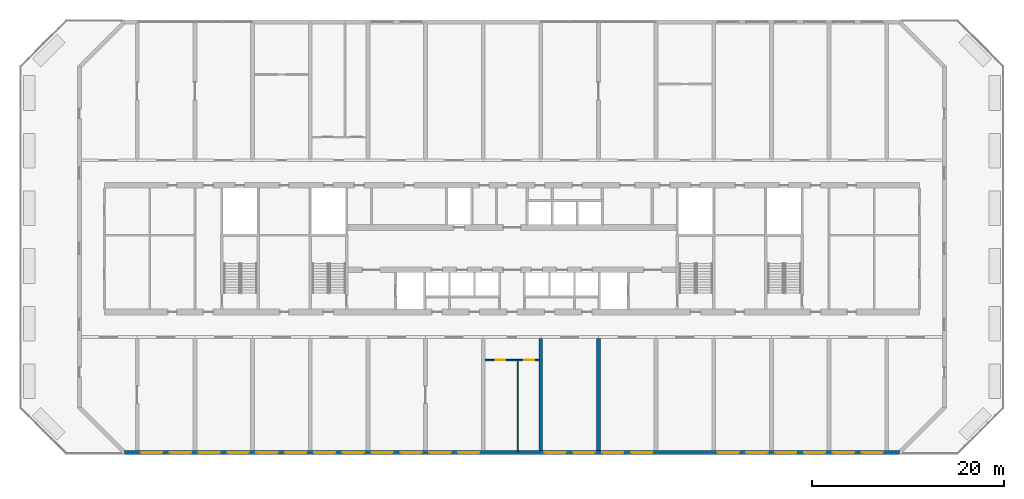
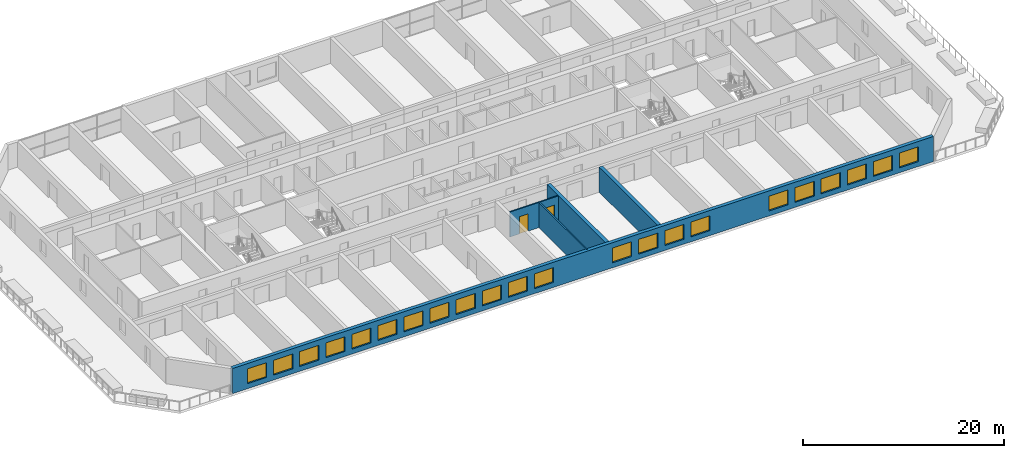
# One storey, part 8 of 21: 22 windows, 5 walls, 2 doors, 24 openings.
"""IFC4 building model written with IfcOpenShell, lengths in metres."""

from ifc_helpers import new_model, si_unit, direction, frame, frame_2d, origin, place, context, subcontext, project, spatial, rectangle, extrude, material, layer, layer_set, type_object, element, fill, save


model = new_model("IFC4")

# Units and contexts
model_context = context("Model", 3, precision=1e-05, world=origin(), true_north=direction((0.0, 1.0)))
body_context = subcontext(model_context, "Body", "Model", "MODEL_VIEW")
ifc_project = project(units=[si_unit("LENGTHUNIT", "METRE"), si_unit("AREAUNIT", "SQUARE_METRE"), si_unit("VOLUMEUNIT", "CUBIC_METRE"), si_unit("PLANEANGLEUNIT", "RADIAN"), si_unit("MASSUNIT", "GRAM", prefix="KILO")], contexts=[model_context])

# Site, building, storey
site_placement = place(None, origin())
site = spatial("IfcSite", under=ifc_project, at=site_placement, CompositionType="ELEMENT")
building_placement = place(site_placement, origin())
building = spatial("IfcBuilding", under=site, at=building_placement, Name="Poui Terraces", CompositionType="ELEMENT")
storey_placement = place(building_placement, frame((0.0, 0.0, 53.10009765625)))
storey = spatial("IfcBuildingStorey", under=building, at=storey_placement, Name="L14", CompositionType="ELEMENT", Elevation=53.10009765625)

# Wall, openings, doors
ifc_material_1 = material(Name="Fire-rated plasterboard wall")
ifc_layer_1 = layer(ifc_material_1, 0.14990234375)
ifc_layer_set_1 = layer_set([ifc_layer_1], Name="Fire-rated plasterboard wall")
wall_type_1 = type_object("IfcWallType", Name="CORRIDOR WALL 150", PredefinedType="PARTITIONING", material=ifc_layer_set_1)
wall_1_placement = place(storey_placement, frame((48.2099609375, 9.60009765625, 0.0), z_axis=(0.0, 0.0, 1.0), x_axis=(1.0, 0.0, 0.0)))
wall_1 = element("IfcWall", 1, at=wall_1_placement, inside=storey, type_object=wall_type_1, Name="CORRIDOR WALL 150", PredefinedType="PARTITIONING", context=body_context, shape_type="SweptSolid", body=[
    extrude(rectangle(XDim=5.580078125, YDim=0.14990234375, at=frame_2d((2.7900390625, 0.0))), origin(), (0.0, 0.0, 1.0), 3.0498046875),
])
opening_1_placement = place(wall_1_placement, frame((1.090087890625, 0.0, 0.0)))
opening_1 = element("IfcOpeningElement", 2, at=opening_1_placement, cuts=wall_1, Name="Opening D100", PredefinedType="OPENING", context=body_context, shape_type="SweptSolid", body=[
    extrude(rectangle(XDim=1.0, YDim=2.10009765625, at=frame_2d((0.5, 1.050048828125))), frame((0.0, 0.0849609375, 0.0), z_axis=(0.0, -1.0, 0.0), x_axis=(1.0, 0.0, 0.0)), (0.0, 0.0, 1.0), 0.169921875),
])
opening_2_placement = place(wall_1_placement, frame((4.090087890625, 0.0, 0.0)))
opening_2 = element("IfcOpeningElement", 3, at=opening_2_placement, cuts=wall_1, Name="Opening D100", PredefinedType="OPENING", context=body_context, shape_type="SweptSolid", body=[
    extrude(rectangle(XDim=1.0, YDim=2.10009765625, at=frame_2d((0.5, 1.050048828125))), frame((0.0, 0.0849609375, 0.0), z_axis=(0.0, -1.0, 0.0), x_axis=(1.0, 0.0, 0.0)), (0.0, 0.0, 1.0), 0.169921875),
])
ifc_material_2 = material(Name="Solid core timber door", Category="wood")
door_type = type_object("IfcDoorType", Name="ACCESSIBLE INTERNAL DOOR 1000 X 2100", OperationType="NOTDEFINED", PredefinedType="DOOR", material=ifc_material_2)
door_1_placement = place(opening_1_placement, origin())
door_1 = element("IfcDoor", 4, at=door_1_placement, inside=storey, type_object=door_type, Name="ACCESSIBLE INTERNAL DOOR 078", OperationType="SINGLE_SWING_RIGHT", OverallHeight=2.10009765625, OverallWidth=1.0, PredefinedType="DOOR", context=body_context, shape_type="SweptSolid", body=[
    extrude(rectangle(XDim=1.0, YDim=2.10009765625, at=frame_2d((0.5, 1.050048828125))), frame((0.0, 0.02490234375, 0.0), z_axis=(0.0, -1.0, 0.0), x_axis=(1.0, 0.0, 0.0)), (0.0, 0.0, 1.0), 0.050048828125),
])
fill(opening_1, door_1)
door_2_placement = place(opening_2_placement, origin())
door_2 = element("IfcDoor", 5, at=door_2_placement, inside=storey, type_object=door_type, Name="ACCESSIBLE INTERNAL DOOR 079", OperationType="SINGLE_SWING_LEFT", OverallHeight=2.10009765625, OverallWidth=1.0, PredefinedType="DOOR", context=body_context, shape_type="SweptSolid", body=[
    extrude(rectangle(XDim=1.0, YDim=2.10009765625, at=frame_2d((0.5, 1.050048828125))), frame((0.0, 0.02490234375, 0.0), z_axis=(0.0, -1.0, 0.0), x_axis=(1.0, 0.0, 0.0)), (0.0, 0.0, 1.0), 0.050048828125),
])
fill(opening_2, door_2)

# Walls
ifc_material_3 = material(Name="Concrete 80 MPa", Category="concrete")
ifc_layer_2 = layer(ifc_material_3, 0.39990234375)
ifc_layer_set_2 = layer_set([ifc_layer_2], Name="Concrete 80 MPa")
wall_type_2 = type_object("IfcWallType", Name="CROSS WALL 400 80MPa", PredefinedType="SHEAR", material=ifc_layer_set_2)
for number, where, z_axis, x_axis, name in (
    (6, (54.0, 0.199951171875, 0.0), (0.0, 0.0, 1.0), (0.0, 1.0, 0.0), "CROSS WALL LINE 10 SOUTH"),
    (7, (60.0, 0.199951171875, 0.0), (0.0, 0.0, 1.0), (0.0, 1.0, 0.0), "CROSS WALL LINE 11 SOUTH"),
):
    element("IfcWall", number, at=place(storey_placement, frame(where, z_axis=z_axis, x_axis=x_axis)), inside=storey, type_object=wall_type_2, Name=name, PredefinedType="SHEAR", context=body_context, shape_type="SweptSolid", body=[
        extrude(rectangle(XDim=11.650146484375, YDim=0.39990234375, at=frame_2d((5.8251953125, 0.0))), origin(), (0.0, 0.0, 1.0), 3.0498046875),
    ])

# Wall, openings, windows
ifc_material_4 = material(Name="Precast concrete 40 MPa", Category="concrete")
ifc_layer_3 = layer(ifc_material_4, 0.39990234375)
ifc_layer_set_3 = layer_set([ifc_layer_3], Name="Precast concrete 40 MPa")
wall_type_3 = type_object("IfcWallType", Name="EXTERNAL WALL 400", PredefinedType="STANDARD", material=ifc_layer_set_3)
wall_2_placement = place(storey_placement, frame((10.682861328125, 0.0, 0.0), z_axis=(0.0, 0.0, 1.0), x_axis=(1.0, 0.0, 0.0)))
wall_2 = element("IfcWall", 8, at=wall_2_placement, inside=storey, type_object=wall_type_3, Name="EXTERNAL WALL S", PredefinedType="STANDARD", context=body_context, shape_type="SweptSolid", body=[
    extrude(rectangle(XDim=80.63427734375, YDim=0.39990234375, at=frame_2d((40.317138671875, 0.0))), origin(), (0.0, 0.0, 1.0), 3.0498046875),
])
opening_3_placement = place(wall_2_placement, frame((1.71728515625, 0.0, 0.60009765625)))
opening_3 = element("IfcOpeningElement", 9, at=opening_3_placement, cuts=wall_2, Name="Opening W3", PredefinedType="OPENING", context=body_context, shape_type="SweptSolid", body=[
    extrude(rectangle(XDim=2.199951171875, YDim=1.800048828125, at=frame_2d((1.10009765625, 0.89990234375))), frame((0.0, 0.2099609375, 0.0), z_axis=(0.0, -1.0, 0.0), x_axis=(1.0, 0.0, 0.0)), (0.0, 0.0, 1.0), 0.419921875),
])
opening_4_placement = place(wall_2_placement, frame((4.71728515625, 0.0, 0.60009765625)))
opening_4 = element("IfcOpeningElement", 10, at=opening_4_placement, cuts=wall_2, Name="Opening W3", PredefinedType="OPENING", context=body_context, shape_type="SweptSolid", body=[
    extrude(rectangle(XDim=2.199951171875, YDim=1.800048828125, at=frame_2d((1.10009765625, 0.89990234375))), frame((0.0, 0.2099609375, 0.0), z_axis=(0.0, -1.0, 0.0), x_axis=(1.0, 0.0, 0.0)), (0.0, 0.0, 1.0), 0.419921875),
])
opening_5_placement = place(wall_2_placement, frame((7.71728515625, 0.0, 0.60009765625)))
opening_5 = element("IfcOpeningElement", 11, at=opening_5_placement, cuts=wall_2, Name="Opening W3", PredefinedType="OPENING", context=body_context, shape_type="SweptSolid", body=[
    extrude(rectangle(XDim=2.199951171875, YDim=1.800048828125, at=frame_2d((1.10009765625, 0.89990234375))), frame((0.0, 0.2099609375, 0.0), z_axis=(0.0, -1.0, 0.0), x_axis=(1.0, 0.0, 0.0)), (0.0, 0.0, 1.0), 0.419921875),
])
opening_6_placement = place(wall_2_placement, frame((10.71728515625, 0.0, 0.60009765625)))
opening_6 = element("IfcOpeningElement", 12, at=opening_6_placement, cuts=wall_2, Name="Opening W3", PredefinedType="OPENING", context=body_context, shape_type="SweptSolid", body=[
    extrude(rectangle(XDim=2.199951171875, YDim=1.800048828125, at=frame_2d((1.10009765625, 0.89990234375))), frame((0.0, 0.2099609375, 0.0), z_axis=(0.0, -1.0, 0.0), x_axis=(1.0, 0.0, 0.0)), (0.0, 0.0, 1.0), 0.419921875),
])
opening_7_placement = place(wall_2_placement, frame((13.71728515625, 0.0, 0.60009765625)))
opening_7 = element("IfcOpeningElement", 13, at=opening_7_placement, cuts=wall_2, Name="Opening W3", PredefinedType="OPENING", context=body_context, shape_type="SweptSolid", body=[
    extrude(rectangle(XDim=2.199951171875, YDim=1.800048828125, at=frame_2d((1.10009765625, 0.89990234375))), frame((0.0, 0.2099609375, 0.0), z_axis=(0.0, -1.0, 0.0), x_axis=(1.0, 0.0, 0.0)), (0.0, 0.0, 1.0), 0.419921875),
])
opening_8_placement = place(wall_2_placement, frame((16.71728515625, 0.0, 0.60009765625)))
opening_8 = element("IfcOpeningElement", 14, at=opening_8_placement, cuts=wall_2, Name="Opening W3", PredefinedType="OPENING", context=body_context, shape_type="SweptSolid", body=[
    extrude(rectangle(XDim=2.199951171875, YDim=1.800048828125, at=frame_2d((1.10009765625, 0.89990234375))), frame((0.0, 0.2099609375, 0.0), z_axis=(0.0, -1.0, 0.0), x_axis=(1.0, 0.0, 0.0)), (0.0, 0.0, 1.0), 0.419921875),
])
opening_9_placement = place(wall_2_placement, frame((19.71728515625, 0.0, 0.60009765625)))
opening_9 = element("IfcOpeningElement", 15, at=opening_9_placement, cuts=wall_2, Name="Opening W3", PredefinedType="OPENING", context=body_context, shape_type="SweptSolid", body=[
    extrude(rectangle(XDim=2.199951171875, YDim=1.800048828125, at=frame_2d((1.10009765625, 0.89990234375))), frame((0.0, 0.2099609375, 0.0), z_axis=(0.0, -1.0, 0.0), x_axis=(1.0, 0.0, 0.0)), (0.0, 0.0, 1.0), 0.419921875),
])
opening_10_placement = place(wall_2_placement, frame((22.71728515625, 0.0, 0.60009765625)))
opening_10 = element("IfcOpeningElement", 16, at=opening_10_placement, cuts=wall_2, Name="Opening W3", PredefinedType="OPENING", context=body_context, shape_type="SweptSolid", body=[
    extrude(rectangle(XDim=2.199951171875, YDim=1.800048828125, at=frame_2d((1.10009765625, 0.89990234375))), frame((0.0, 0.2099609375, 0.0), z_axis=(0.0, -1.0, 0.0), x_axis=(1.0, 0.0, 0.0)), (0.0, 0.0, 1.0), 0.419921875),
])
opening_11_placement = place(wall_2_placement, frame((25.71728515625, 0.0, 0.60009765625)))
opening_11 = element("IfcOpeningElement", 17, at=opening_11_placement, cuts=wall_2, Name="Opening W3", PredefinedType="OPENING", context=body_context, shape_type="SweptSolid", body=[
    extrude(rectangle(XDim=2.199951171875, YDim=1.800048828125, at=frame_2d((1.10009765625, 0.89990234375))), frame((0.0, 0.2099609375, 0.0), z_axis=(0.0, -1.0, 0.0), x_axis=(1.0, 0.0, 0.0)), (0.0, 0.0, 1.0), 0.419921875),
])
opening_12_placement = place(wall_2_placement, frame((28.71728515625, 0.0, 0.60009765625)))
opening_12 = element("IfcOpeningElement", 18, at=opening_12_placement, cuts=wall_2, Name="Opening W3", PredefinedType="OPENING", context=body_context, shape_type="SweptSolid", body=[
    extrude(rectangle(XDim=2.199951171875, YDim=1.800048828125, at=frame_2d((1.10009765625, 0.89990234375))), frame((0.0, 0.2099609375, 0.0), z_axis=(0.0, -1.0, 0.0), x_axis=(1.0, 0.0, 0.0)), (0.0, 0.0, 1.0), 0.419921875),
])
opening_13_placement = place(wall_2_placement, frame((31.71728515625, 0.0, 0.60009765625)))
opening_13 = element("IfcOpeningElement", 19, at=opening_13_placement, cuts=wall_2, Name="Opening W3", PredefinedType="OPENING", context=body_context, shape_type="SweptSolid", body=[
    extrude(rectangle(XDim=2.199951171875, YDim=1.800048828125, at=frame_2d((1.10009765625, 0.89990234375))), frame((0.0, 0.2099609375, 0.0), z_axis=(0.0, -1.0, 0.0), x_axis=(1.0, 0.0, 0.0)), (0.0, 0.0, 1.0), 0.419921875),
])
opening_14_placement = place(wall_2_placement, frame((34.71728515625, 0.0, 0.60009765625)))
opening_14 = element("IfcOpeningElement", 20, at=opening_14_placement, cuts=wall_2, Name="Opening W3", PredefinedType="OPENING", context=body_context, shape_type="SweptSolid", body=[
    extrude(rectangle(XDim=2.199951171875, YDim=1.800048828125, at=frame_2d((1.10009765625, 0.89990234375))), frame((0.0, 0.2099609375, 0.0), z_axis=(0.0, -1.0, 0.0), x_axis=(1.0, 0.0, 0.0)), (0.0, 0.0, 1.0), 0.419921875),
])
opening_15_placement = place(wall_2_placement, frame((43.71728515625, 0.0, 0.60009765625)))
opening_15 = element("IfcOpeningElement", 21, at=opening_15_placement, cuts=wall_2, Name="Opening W3", PredefinedType="OPENING", context=body_context, shape_type="SweptSolid", body=[
    extrude(rectangle(XDim=2.199951171875, YDim=1.800048828125, at=frame_2d((1.10009765625, 0.89990234375))), frame((0.0, 0.2099609375, 0.0), z_axis=(0.0, -1.0, 0.0), x_axis=(1.0, 0.0, 0.0)), (0.0, 0.0, 1.0), 0.419921875),
])
opening_16_placement = place(wall_2_placement, frame((46.71728515625, 0.0, 0.60009765625)))
opening_16 = element("IfcOpeningElement", 22, at=opening_16_placement, cuts=wall_2, Name="Opening W3", PredefinedType="OPENING", context=body_context, shape_type="SweptSolid", body=[
    extrude(rectangle(XDim=2.199951171875, YDim=1.800048828125, at=frame_2d((1.10009765625, 0.89990234375))), frame((0.0, 0.2099609375, 0.0), z_axis=(0.0, -1.0, 0.0), x_axis=(1.0, 0.0, 0.0)), (0.0, 0.0, 1.0), 0.419921875),
])
opening_17_placement = place(wall_2_placement, frame((49.71728515625, 0.0, 0.60009765625)))
opening_17 = element("IfcOpeningElement", 23, at=opening_17_placement, cuts=wall_2, Name="Opening W3", PredefinedType="OPENING", context=body_context, shape_type="SweptSolid", body=[
    extrude(rectangle(XDim=2.199951171875, YDim=1.800048828125, at=frame_2d((1.10009765625, 0.89990234375))), frame((0.0, 0.2099609375, 0.0), z_axis=(0.0, -1.0, 0.0), x_axis=(1.0, 0.0, 0.0)), (0.0, 0.0, 1.0), 0.419921875),
])
opening_18_placement = place(wall_2_placement, frame((52.71728515625, 0.0, 0.60009765625)))
opening_18 = element("IfcOpeningElement", 24, at=opening_18_placement, cuts=wall_2, Name="Opening W3", PredefinedType="OPENING", context=body_context, shape_type="SweptSolid", body=[
    extrude(rectangle(XDim=2.199951171875, YDim=1.800048828125, at=frame_2d((1.10009765625, 0.89990234375))), frame((0.0, 0.2099609375, 0.0), z_axis=(0.0, -1.0, 0.0), x_axis=(1.0, 0.0, 0.0)), (0.0, 0.0, 1.0), 0.419921875),
])
opening_19_placement = place(wall_2_placement, frame((61.71728515625, 0.0, 0.60009765625)))
opening_19 = element("IfcOpeningElement", 25, at=opening_19_placement, cuts=wall_2, Name="Opening W3", PredefinedType="OPENING", context=body_context, shape_type="SweptSolid", body=[
    extrude(rectangle(XDim=2.199951171875, YDim=1.800048828125, at=frame_2d((1.10009765625, 0.89990234375))), frame((0.0, 0.2099609375, 0.0), z_axis=(0.0, -1.0, 0.0), x_axis=(1.0, 0.0, 0.0)), (0.0, 0.0, 1.0), 0.419921875),
])
opening_20_placement = place(wall_2_placement, frame((64.71728515625, 0.0, 0.60009765625)))
opening_20 = element("IfcOpeningElement", 26, at=opening_20_placement, cuts=wall_2, Name="Opening W3", PredefinedType="OPENING", context=body_context, shape_type="SweptSolid", body=[
    extrude(rectangle(XDim=2.199951171875, YDim=1.800048828125, at=frame_2d((1.10009765625, 0.89990234375))), frame((0.0, 0.2099609375, 0.0), z_axis=(0.0, -1.0, 0.0), x_axis=(1.0, 0.0, 0.0)), (0.0, 0.0, 1.0), 0.419921875),
])
opening_21_placement = place(wall_2_placement, frame((67.71728515625, 0.0, 0.60009765625)))
opening_21 = element("IfcOpeningElement", 27, at=opening_21_placement, cuts=wall_2, Name="Opening W3", PredefinedType="OPENING", context=body_context, shape_type="SweptSolid", body=[
    extrude(rectangle(XDim=2.199951171875, YDim=1.800048828125, at=frame_2d((1.10009765625, 0.89990234375))), frame((0.0, 0.2099609375, 0.0), z_axis=(0.0, -1.0, 0.0), x_axis=(1.0, 0.0, 0.0)), (0.0, 0.0, 1.0), 0.419921875),
])
opening_22_placement = place(wall_2_placement, frame((70.71728515625, 0.0, 0.60009765625)))
opening_22 = element("IfcOpeningElement", 28, at=opening_22_placement, cuts=wall_2, Name="Opening W3", PredefinedType="OPENING", context=body_context, shape_type="SweptSolid", body=[
    extrude(rectangle(XDim=2.199951171875, YDim=1.800048828125, at=frame_2d((1.10009765625, 0.89990234375))), frame((0.0, 0.2099609375, 0.0), z_axis=(0.0, -1.0, 0.0), x_axis=(1.0, 0.0, 0.0)), (0.0, 0.0, 1.0), 0.419921875),
])
opening_23_placement = place(wall_2_placement, frame((73.71728515625, 0.0, 0.60009765625)))
opening_23 = element("IfcOpeningElement", 29, at=opening_23_placement, cuts=wall_2, Name="Opening W3", PredefinedType="OPENING", context=body_context, shape_type="SweptSolid", body=[
    extrude(rectangle(XDim=2.199951171875, YDim=1.800048828125, at=frame_2d((1.10009765625, 0.89990234375))), frame((0.0, 0.2099609375, 0.0), z_axis=(0.0, -1.0, 0.0), x_axis=(1.0, 0.0, 0.0)), (0.0, 0.0, 1.0), 0.419921875),
])
opening_24_placement = place(wall_2_placement, frame((76.71728515625, 0.0, 0.60009765625)))
opening_24 = element("IfcOpeningElement", 30, at=opening_24_placement, cuts=wall_2, Name="Opening W3", PredefinedType="OPENING", context=body_context, shape_type="SweptSolid", body=[
    extrude(rectangle(XDim=2.199951171875, YDim=1.800048828125, at=frame_2d((1.10009765625, 0.89990234375))), frame((0.0, 0.2099609375, 0.0), z_axis=(0.0, -1.0, 0.0), x_axis=(1.0, 0.0, 0.0)), (0.0, 0.0, 1.0), 0.419921875),
])
ifc_material_5 = material(Name="Clear glass in aluminium frame", Category="aluminium")
window_type = type_object("IfcWindowType", Name="WINDOW 2200X1800", PartitioningType="DOUBLE_PANEL_HORIZONTAL", PredefinedType="WINDOW", material=ifc_material_5)
window_1_placement = place(opening_3_placement, origin())
window_1 = element("IfcWindow", 31, at=window_1_placement, inside=storey, type_object=window_type, Name="W3 WINDOW", OverallHeight=1.800048828125, OverallWidth=2.199951171875, PartitioningType="DOUBLE_PANEL_HORIZONTAL", PredefinedType="WINDOW", context=body_context, shape_type="SweptSolid", body=[
    extrude(rectangle(XDim=2.199951171875, YDim=1.800048828125, at=frame_2d((1.10009765625, 0.89990234375))), frame((0.0, 0.030029296875, 0.0), z_axis=(0.0, -1.0, 0.0), x_axis=(1.0, 0.0, 0.0)), (0.0, 0.0, 1.0), 0.06005859375),
])
fill(opening_3, window_1)
window_2_placement = place(opening_4_placement, origin())
window_2 = element("IfcWindow", 32, at=window_2_placement, inside=storey, type_object=window_type, Name="W3 WINDOW", OverallHeight=1.800048828125, OverallWidth=2.199951171875, PartitioningType="DOUBLE_PANEL_HORIZONTAL", PredefinedType="WINDOW", context=body_context, shape_type="SweptSolid", body=[
    extrude(rectangle(XDim=2.199951171875, YDim=1.800048828125, at=frame_2d((1.10009765625, 0.89990234375))), frame((0.0, 0.030029296875, 0.0), z_axis=(0.0, -1.0, 0.0), x_axis=(1.0, 0.0, 0.0)), (0.0, 0.0, 1.0), 0.06005859375),
])
fill(opening_4, window_2)
window_3_placement = place(opening_5_placement, origin())
window_3 = element("IfcWindow", 33, at=window_3_placement, inside=storey, type_object=window_type, Name="W3 WINDOW", OverallHeight=1.800048828125, OverallWidth=2.199951171875, PartitioningType="DOUBLE_PANEL_HORIZONTAL", PredefinedType="WINDOW", context=body_context, shape_type="SweptSolid", body=[
    extrude(rectangle(XDim=2.199951171875, YDim=1.800048828125, at=frame_2d((1.10009765625, 0.89990234375))), frame((0.0, 0.030029296875, 0.0), z_axis=(0.0, -1.0, 0.0), x_axis=(1.0, 0.0, 0.0)), (0.0, 0.0, 1.0), 0.06005859375),
])
fill(opening_5, window_3)
window_4_placement = place(opening_6_placement, origin())
window_4 = element("IfcWindow", 34, at=window_4_placement, inside=storey, type_object=window_type, Name="W3 WINDOW", OverallHeight=1.800048828125, OverallWidth=2.199951171875, PartitioningType="DOUBLE_PANEL_HORIZONTAL", PredefinedType="WINDOW", context=body_context, shape_type="SweptSolid", body=[
    extrude(rectangle(XDim=2.199951171875, YDim=1.800048828125, at=frame_2d((1.10009765625, 0.89990234375))), frame((0.0, 0.030029296875, 0.0), z_axis=(0.0, -1.0, 0.0), x_axis=(1.0, 0.0, 0.0)), (0.0, 0.0, 1.0), 0.06005859375),
])
fill(opening_6, window_4)
window_5_placement = place(opening_7_placement, origin())
window_5 = element("IfcWindow", 35, at=window_5_placement, inside=storey, type_object=window_type, Name="W3 WINDOW", OverallHeight=1.800048828125, OverallWidth=2.199951171875, PartitioningType="DOUBLE_PANEL_HORIZONTAL", PredefinedType="WINDOW", context=body_context, shape_type="SweptSolid", body=[
    extrude(rectangle(XDim=2.199951171875, YDim=1.800048828125, at=frame_2d((1.10009765625, 0.89990234375))), frame((0.0, 0.030029296875, 0.0), z_axis=(0.0, -1.0, 0.0), x_axis=(1.0, 0.0, 0.0)), (0.0, 0.0, 1.0), 0.06005859375),
])
fill(opening_7, window_5)
window_6_placement = place(opening_8_placement, origin())
window_6 = element("IfcWindow", 36, at=window_6_placement, inside=storey, type_object=window_type, Name="W3 WINDOW", OverallHeight=1.800048828125, OverallWidth=2.199951171875, PartitioningType="DOUBLE_PANEL_HORIZONTAL", PredefinedType="WINDOW", context=body_context, shape_type="SweptSolid", body=[
    extrude(rectangle(XDim=2.199951171875, YDim=1.800048828125, at=frame_2d((1.10009765625, 0.89990234375))), frame((0.0, 0.030029296875, 0.0), z_axis=(0.0, -1.0, 0.0), x_axis=(1.0, 0.0, 0.0)), (0.0, 0.0, 1.0), 0.06005859375),
])
fill(opening_8, window_6)
window_7_placement = place(opening_9_placement, origin())
window_7 = element("IfcWindow", 37, at=window_7_placement, inside=storey, type_object=window_type, Name="W3 WINDOW", OverallHeight=1.800048828125, OverallWidth=2.199951171875, PartitioningType="DOUBLE_PANEL_HORIZONTAL", PredefinedType="WINDOW", context=body_context, shape_type="SweptSolid", body=[
    extrude(rectangle(XDim=2.199951171875, YDim=1.800048828125, at=frame_2d((1.10009765625, 0.89990234375))), frame((0.0, 0.030029296875, 0.0), z_axis=(0.0, -1.0, 0.0), x_axis=(1.0, 0.0, 0.0)), (0.0, 0.0, 1.0), 0.06005859375),
])
fill(opening_9, window_7)
window_8_placement = place(opening_10_placement, origin())
window_8 = element("IfcWindow", 38, at=window_8_placement, inside=storey, type_object=window_type, Name="W3 WINDOW", OverallHeight=1.800048828125, OverallWidth=2.199951171875, PartitioningType="DOUBLE_PANEL_HORIZONTAL", PredefinedType="WINDOW", context=body_context, shape_type="SweptSolid", body=[
    extrude(rectangle(XDim=2.199951171875, YDim=1.800048828125, at=frame_2d((1.10009765625, 0.89990234375))), frame((0.0, 0.030029296875, 0.0), z_axis=(0.0, -1.0, 0.0), x_axis=(1.0, 0.0, 0.0)), (0.0, 0.0, 1.0), 0.06005859375),
])
fill(opening_10, window_8)
window_9_placement = place(opening_11_placement, origin())
window_9 = element("IfcWindow", 39, at=window_9_placement, inside=storey, type_object=window_type, Name="W3 WINDOW", OverallHeight=1.800048828125, OverallWidth=2.199951171875, PartitioningType="DOUBLE_PANEL_HORIZONTAL", PredefinedType="WINDOW", context=body_context, shape_type="SweptSolid", body=[
    extrude(rectangle(XDim=2.199951171875, YDim=1.800048828125, at=frame_2d((1.10009765625, 0.89990234375))), frame((0.0, 0.030029296875, 0.0), z_axis=(0.0, -1.0, 0.0), x_axis=(1.0, 0.0, 0.0)), (0.0, 0.0, 1.0), 0.06005859375),
])
fill(opening_11, window_9)
window_10_placement = place(opening_12_placement, origin())
window_10 = element("IfcWindow", 40, at=window_10_placement, inside=storey, type_object=window_type, Name="W3 WINDOW", OverallHeight=1.800048828125, OverallWidth=2.199951171875, PartitioningType="DOUBLE_PANEL_HORIZONTAL", PredefinedType="WINDOW", context=body_context, shape_type="SweptSolid", body=[
    extrude(rectangle(XDim=2.199951171875, YDim=1.800048828125, at=frame_2d((1.10009765625, 0.89990234375))), frame((0.0, 0.030029296875, 0.0), z_axis=(0.0, -1.0, 0.0), x_axis=(1.0, 0.0, 0.0)), (0.0, 0.0, 1.0), 0.06005859375),
])
fill(opening_12, window_10)
window_11_placement = place(opening_13_placement, origin())
window_11 = element("IfcWindow", 41, at=window_11_placement, inside=storey, type_object=window_type, Name="W3 WINDOW", OverallHeight=1.800048828125, OverallWidth=2.199951171875, PartitioningType="DOUBLE_PANEL_HORIZONTAL", PredefinedType="WINDOW", context=body_context, shape_type="SweptSolid", body=[
    extrude(rectangle(XDim=2.199951171875, YDim=1.800048828125, at=frame_2d((1.10009765625, 0.89990234375))), frame((0.0, 0.030029296875, 0.0), z_axis=(0.0, -1.0, 0.0), x_axis=(1.0, 0.0, 0.0)), (0.0, 0.0, 1.0), 0.06005859375),
])
fill(opening_13, window_11)
window_12_placement = place(opening_14_placement, origin())
window_12 = element("IfcWindow", 42, at=window_12_placement, inside=storey, type_object=window_type, Name="W3 WINDOW", OverallHeight=1.800048828125, OverallWidth=2.199951171875, PartitioningType="DOUBLE_PANEL_HORIZONTAL", PredefinedType="WINDOW", context=body_context, shape_type="SweptSolid", body=[
    extrude(rectangle(XDim=2.199951171875, YDim=1.800048828125, at=frame_2d((1.10009765625, 0.89990234375))), frame((0.0, 0.030029296875, 0.0), z_axis=(0.0, -1.0, 0.0), x_axis=(1.0, 0.0, 0.0)), (0.0, 0.0, 1.0), 0.06005859375),
])
fill(opening_14, window_12)
window_13_placement = place(opening_15_placement, origin())
window_13 = element("IfcWindow", 43, at=window_13_placement, inside=storey, type_object=window_type, Name="W3 WINDOW", OverallHeight=1.800048828125, OverallWidth=2.199951171875, PartitioningType="DOUBLE_PANEL_HORIZONTAL", PredefinedType="WINDOW", context=body_context, shape_type="SweptSolid", body=[
    extrude(rectangle(XDim=2.199951171875, YDim=1.800048828125, at=frame_2d((1.10009765625, 0.89990234375))), frame((0.0, 0.030029296875, 0.0), z_axis=(0.0, -1.0, 0.0), x_axis=(1.0, 0.0, 0.0)), (0.0, 0.0, 1.0), 0.06005859375),
])
fill(opening_15, window_13)
window_14_placement = place(opening_16_placement, origin())
window_14 = element("IfcWindow", 44, at=window_14_placement, inside=storey, type_object=window_type, Name="W3 WINDOW", OverallHeight=1.800048828125, OverallWidth=2.199951171875, PartitioningType="DOUBLE_PANEL_HORIZONTAL", PredefinedType="WINDOW", context=body_context, shape_type="SweptSolid", body=[
    extrude(rectangle(XDim=2.199951171875, YDim=1.800048828125, at=frame_2d((1.10009765625, 0.89990234375))), frame((0.0, 0.030029296875, 0.0), z_axis=(0.0, -1.0, 0.0), x_axis=(1.0, 0.0, 0.0)), (0.0, 0.0, 1.0), 0.06005859375),
])
fill(opening_16, window_14)
window_15_placement = place(opening_17_placement, origin())
window_15 = element("IfcWindow", 45, at=window_15_placement, inside=storey, type_object=window_type, Name="W3 WINDOW", OverallHeight=1.800048828125, OverallWidth=2.199951171875, PartitioningType="DOUBLE_PANEL_HORIZONTAL", PredefinedType="WINDOW", context=body_context, shape_type="SweptSolid", body=[
    extrude(rectangle(XDim=2.199951171875, YDim=1.800048828125, at=frame_2d((1.10009765625, 0.89990234375))), frame((0.0, 0.030029296875, 0.0), z_axis=(0.0, -1.0, 0.0), x_axis=(1.0, 0.0, 0.0)), (0.0, 0.0, 1.0), 0.06005859375),
])
fill(opening_17, window_15)
window_16_placement = place(opening_18_placement, origin())
window_16 = element("IfcWindow", 46, at=window_16_placement, inside=storey, type_object=window_type, Name="W3 WINDOW", OverallHeight=1.800048828125, OverallWidth=2.199951171875, PartitioningType="DOUBLE_PANEL_HORIZONTAL", PredefinedType="WINDOW", context=body_context, shape_type="SweptSolid", body=[
    extrude(rectangle(XDim=2.199951171875, YDim=1.800048828125, at=frame_2d((1.10009765625, 0.89990234375))), frame((0.0, 0.030029296875, 0.0), z_axis=(0.0, -1.0, 0.0), x_axis=(1.0, 0.0, 0.0)), (0.0, 0.0, 1.0), 0.06005859375),
])
fill(opening_18, window_16)
window_17_placement = place(opening_19_placement, origin())
window_17 = element("IfcWindow", 47, at=window_17_placement, inside=storey, type_object=window_type, Name="W3 WINDOW", OverallHeight=1.800048828125, OverallWidth=2.199951171875, PartitioningType="DOUBLE_PANEL_HORIZONTAL", PredefinedType="WINDOW", context=body_context, shape_type="SweptSolid", body=[
    extrude(rectangle(XDim=2.199951171875, YDim=1.800048828125, at=frame_2d((1.10009765625, 0.89990234375))), frame((0.0, 0.030029296875, 0.0), z_axis=(0.0, -1.0, 0.0), x_axis=(1.0, 0.0, 0.0)), (0.0, 0.0, 1.0), 0.06005859375),
])
fill(opening_19, window_17)
window_18_placement = place(opening_20_placement, origin())
window_18 = element("IfcWindow", 48, at=window_18_placement, inside=storey, type_object=window_type, Name="W3 WINDOW", OverallHeight=1.800048828125, OverallWidth=2.199951171875, PartitioningType="DOUBLE_PANEL_HORIZONTAL", PredefinedType="WINDOW", context=body_context, shape_type="SweptSolid", body=[
    extrude(rectangle(XDim=2.199951171875, YDim=1.800048828125, at=frame_2d((1.10009765625, 0.89990234375))), frame((0.0, 0.030029296875, 0.0), z_axis=(0.0, -1.0, 0.0), x_axis=(1.0, 0.0, 0.0)), (0.0, 0.0, 1.0), 0.06005859375),
])
fill(opening_20, window_18)
window_19_placement = place(opening_21_placement, origin())
window_19 = element("IfcWindow", 49, at=window_19_placement, inside=storey, type_object=window_type, Name="W3 WINDOW", OverallHeight=1.800048828125, OverallWidth=2.199951171875, PartitioningType="DOUBLE_PANEL_HORIZONTAL", PredefinedType="WINDOW", context=body_context, shape_type="SweptSolid", body=[
    extrude(rectangle(XDim=2.199951171875, YDim=1.800048828125, at=frame_2d((1.10009765625, 0.89990234375))), frame((0.0, 0.030029296875, 0.0), z_axis=(0.0, -1.0, 0.0), x_axis=(1.0, 0.0, 0.0)), (0.0, 0.0, 1.0), 0.06005859375),
])
fill(opening_21, window_19)
window_20_placement = place(opening_22_placement, origin())
window_20 = element("IfcWindow", 50, at=window_20_placement, inside=storey, type_object=window_type, Name="W3 WINDOW", OverallHeight=1.800048828125, OverallWidth=2.199951171875, PartitioningType="DOUBLE_PANEL_HORIZONTAL", PredefinedType="WINDOW", context=body_context, shape_type="SweptSolid", body=[
    extrude(rectangle(XDim=2.199951171875, YDim=1.800048828125, at=frame_2d((1.10009765625, 0.89990234375))), frame((0.0, 0.030029296875, 0.0), z_axis=(0.0, -1.0, 0.0), x_axis=(1.0, 0.0, 0.0)), (0.0, 0.0, 1.0), 0.06005859375),
])
fill(opening_22, window_20)
window_21_placement = place(opening_23_placement, origin())
window_21 = element("IfcWindow", 51, at=window_21_placement, inside=storey, type_object=window_type, Name="W3 WINDOW", OverallHeight=1.800048828125, OverallWidth=2.199951171875, PartitioningType="DOUBLE_PANEL_HORIZONTAL", PredefinedType="WINDOW", context=body_context, shape_type="SweptSolid", body=[
    extrude(rectangle(XDim=2.199951171875, YDim=1.800048828125, at=frame_2d((1.10009765625, 0.89990234375))), frame((0.0, 0.030029296875, 0.0), z_axis=(0.0, -1.0, 0.0), x_axis=(1.0, 0.0, 0.0)), (0.0, 0.0, 1.0), 0.06005859375),
])
fill(opening_23, window_21)
window_22_placement = place(opening_24_placement, origin())
window_22 = element("IfcWindow", 52, at=window_22_placement, inside=storey, type_object=window_type, Name="W3 WINDOW", OverallHeight=1.800048828125, OverallWidth=2.199951171875, PartitioningType="DOUBLE_PANEL_HORIZONTAL", PredefinedType="WINDOW", context=body_context, shape_type="SweptSolid", body=[
    extrude(rectangle(XDim=2.199951171875, YDim=1.800048828125, at=frame_2d((1.10009765625, 0.89990234375))), frame((0.0, 0.030029296875, 0.0), z_axis=(0.0, -1.0, 0.0), x_axis=(1.0, 0.0, 0.0)), (0.0, 0.0, 1.0), 0.06005859375),
])
fill(opening_24, window_22)

# Wall
ifc_material_6 = material(Name="Plasterboard partition")
ifc_layer_4 = layer(ifc_material_6, 0.14990234375)
ifc_layer_set_4 = layer_set([ifc_layer_4], Name="Plasterboard partition")
wall_type_4 = type_object("IfcWallType", Name="PARTITION WALL 150", PredefinedType="PARTITIONING", material=ifc_layer_set_4)
wall_3_placement = place(storey_placement, frame((51.60009765625, 0.06005859375, 0.0), z_axis=(0.0, 0.0, 1.0), x_axis=(0.0, 1.0, 0.0)))
element("IfcWall", 53, at=wall_3_placement, inside=storey, type_object=wall_type_4, Name="PARTITION WALL 150", PredefinedType="PARTITIONING", context=body_context, shape_type="SweptSolid", body=[
    extrude(rectangle(XDim=9.46484375, YDim=0.14990234375, at=frame_2d((4.732421875, 0.0))), origin(), (0.0, 0.0, 1.0), 3.0498046875),
])

save(model, "model.ifc")
